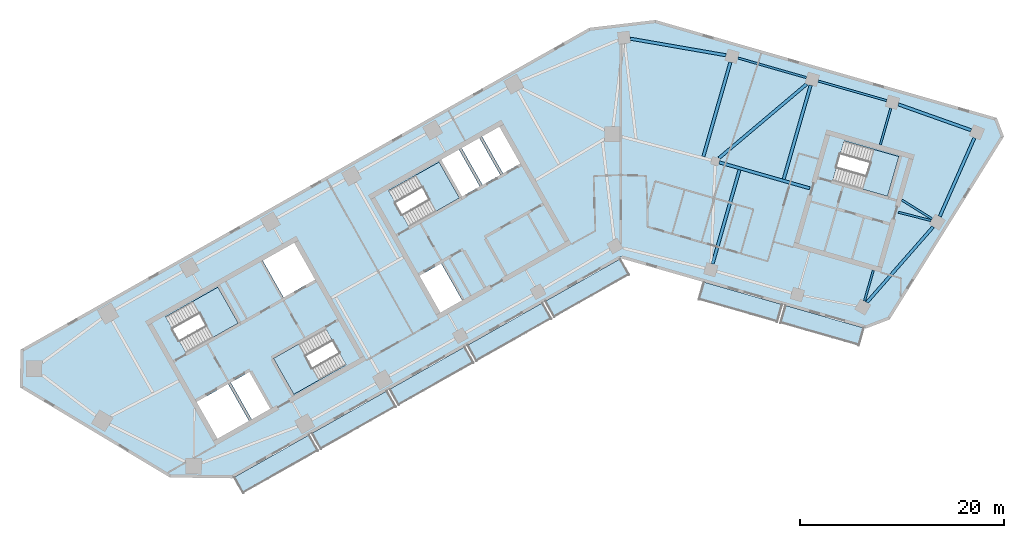
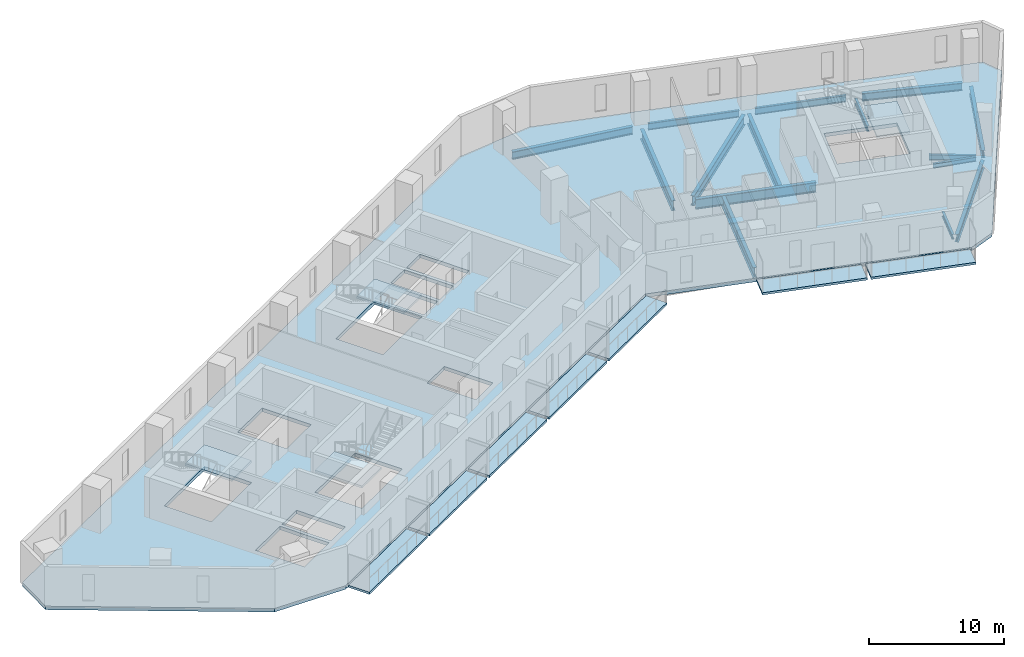
# One storey, part 2 of 9: 15 beams, 12 slabs, 4 elements without a shape of their own.
"""IFC4 building model written with IfcOpenShell, lengths in metres."""

import ifcopenshell
import ifcopenshell.guid

model = None  # the IFC model being written
_history = None  # IfcOwnerHistory: only IFC2X3 demands one
_inside = {}  # id of a spatial element -> (the spatial element, [elements in it])
_under = {}  # id of a project, library or spatial element -> (it, [spatial elements below it])
_declared = {}  # id of a project -> (the project, [libraries it declares])
_typed = {}  # id of a type object -> (the type object, [elements of that type])
_made_of = {}  # id of a material, layer set ... -> (it, [elements and type objects made of it])


def new_model(schema):
    """Start an empty IFC model of exactly this schema.

    Asked for "IFC4X3", IfcOpenShell would pick the latest addendum, in which some entities
    have other attributes; the version numbers below select the first issue.
    IFC2X3 requires an IfcOwnerHistory on every rooted entity: one is made here for all.
    """
    global model, _history
    if schema == "IFC4X3":
        model = ifcopenshell.file(schema_version=(4, 3, 0, 0))
    else:
        model = ifcopenshell.file(schema=schema)
    _inside.clear()
    _under.clear()
    _declared.clear()
    _typed.clear()
    _made_of.clear()
    _history = None
    if model.schema == "IFC2X3":
        org = make("IfcOrganization", Name="unknown")
        user = make(
            "IfcPersonAndOrganization",
            ThePerson=make("IfcPerson", FamilyName="unknown"),
            TheOrganization=org,
        )
        app = make(
            "IfcApplication",
            ApplicationDeveloper=org,
            Version="unknown",
            ApplicationFullName="unknown",
            ApplicationIdentifier="unknown",
        )
        _history = make(
            "IfcOwnerHistory",
            OwningUser=user,
            OwningApplication=app,
            ChangeAction="ADDED",
            CreationDate=0,
        )
    return model


def make(cls, **values):
    """One entity of the class cls with the attributes given. An attribute that is None is left unset."""
    return model.create_entity(
        cls, **{name: value for name, value in values.items() if value is not None}
    )


def rooted(cls, **values):
    """An entity with a GlobalId (a new one), such as an element, a storey or a relation."""
    return make(cls, GlobalId=ifcopenshell.guid.new(), OwnerHistory=_history, **values)


def si_unit(unit_type, name, prefix=None):
    """IfcSIUnit, for example si_unit("LENGTHUNIT", "METRE", prefix="MILLI")."""
    return make("IfcSIUnit", UnitType=unit_type, Prefix=prefix, Name=name)


def assignment(units):
    """IfcUnitAssignment: the units of a project."""
    return None if units is None else make("IfcUnitAssignment", Units=units)


def point(xyz):
    """IfcCartesianPoint."""
    return None if xyz is None else make("IfcCartesianPoint", Coordinates=xyz)


def direction(xyz):
    """IfcDirection."""
    return None if xyz is None else make("IfcDirection", DirectionRatios=xyz)


def frame(location, z_axis=None, x_axis=None):
    """IfcAxis2Placement3D, a coordinate frame: its origin and axes. An axis left out is left unset."""
    return make(
        "IfcAxis2Placement3D",
        Location=point(location),
        Axis=direction(z_axis),
        RefDirection=direction(x_axis),
    )


def frame_2d(location, x_axis=None):
    """IfcAxis2Placement2D, a coordinate frame in the plane: its origin and x axis."""
    return make(
        "IfcAxis2Placement2D", Location=point(location), RefDirection=direction(x_axis)
    )


def origin():
    """The frame at (0, 0, 0) with its axes left unset."""
    return frame((0.0, 0.0, 0.0))


def origin_2d():
    """The frame at (0, 0) in the plane with its x axis left unset."""
    return frame_2d((0.0, 0.0))


def place(relative_to, where):
    """IfcLocalPlacement: puts the frame where relative to a parent placement (None: the world)."""
    return make(
        "IfcLocalPlacement", PlacementRelTo=relative_to, RelativePlacement=where
    )


def context(
    kind, dimensions, precision=None, world=None, true_north=None, identifier=None
):
    """IfcGeometricRepresentationContext, for example the 3D "Model" context."""
    return make(
        "IfcGeometricRepresentationContext",
        ContextIdentifier=identifier,
        ContextType=kind,
        CoordinateSpaceDimension=dimensions,
        Precision=precision,
        WorldCoordinateSystem=world,
        TrueNorth=true_north,
    )


def subcontext(parent, identifier, kind, view, scale=None):
    """IfcGeometricRepresentationSubContext, for example "Body" below "Model"."""
    return make(
        "IfcGeometricRepresentationSubContext",
        ContextIdentifier=identifier,
        ContextType=kind,
        ParentContext=parent,
        TargetScale=scale,
        TargetView=view,
    )


def project(units=None, contexts=None):
    """IfcProject with its units and contexts."""
    return rooted(
        "IfcProject",
        Name="project",
        RepresentationContexts=contexts,
        UnitsInContext=assignment(units),
    )


def spatial(cls, under=None, at=None, **own):
    """A site, building, storey or space (cls), placed at a placement, below another one or the project."""
    s = rooted(cls, ObjectPlacement=at, **own)
    if under is not None:
        _under.setdefault(under.id(), (under, []))[1].append(s)
    return s


def polyline(points):
    """IfcPolyline through the points."""
    return make("IfcPolyline", Points=[point(p) for p in points])


def profile(cls, at=None, kind="AREA", **sizes):
    """A parametric profile (cls). Its sizes go by their IFC names, for example OverallWidth=200.0."""
    return make(cls, ProfileType=kind, Position=at, **sizes)


def i_section(**sizes):
    """IfcIShapeProfileDef."""
    return profile("IfcIShapeProfileDef", **sizes)


def outline(outer, holes=None, kind="AREA"):
    """IfcArbitraryClosedProfileDef: a profile drawn as a closed curve; with holes, ...WithVoids."""
    if holes is None:
        return make("IfcArbitraryClosedProfileDef", ProfileType=kind, OuterCurve=outer)
    return make(
        "IfcArbitraryProfileDefWithVoids",
        ProfileType=kind,
        OuterCurve=outer,
        InnerCurves=holes,
    )


def extrude(swept, where, along, depth):
    """IfcExtrudedAreaSolid: the profile swept, set in the frame where, extruded along a direction by depth."""
    return make(
        "IfcExtrudedAreaSolid",
        SweptArea=swept,
        Position=where,
        ExtrudedDirection=direction(along),
        Depth=depth,
    )


def shape(context_of_items, identifier, shape_type, items):
    """IfcShapeRepresentation: the items that make up one representation, for example the "Body"."""
    return make(
        "IfcShapeRepresentation",
        ContextOfItems=context_of_items,
        RepresentationIdentifier=identifier,
        RepresentationType=shape_type,
        Items=items,
    )


def material(Name=None, Category=None):
    """IfcMaterial."""
    return make("IfcMaterial", Name=Name, Category=Category)


def layer(
    of_material, thickness, ventilated=None, Name=None, Category=None, Priority=None
):
    """IfcMaterialLayer: one layer of a wall or slab, of a material (None: an air gap)."""
    return make(
        "IfcMaterialLayer",
        Material=of_material,
        LayerThickness=thickness,
        IsVentilated=ventilated,
        Name=Name,
        Category=Category,
        Priority=Priority,
    )


def layer_set(layers, Name=None):
    """IfcMaterialLayerSet."""
    return make("IfcMaterialLayerSet", MaterialLayers=layers, LayerSetName=Name)


def material_profile(
    of_material, cross_section, Name=None, Category=None, Priority=None
):
    """IfcMaterialProfile: a cross section and its material."""
    return make(
        "IfcMaterialProfile",
        Name=Name,
        Material=of_material,
        Profile=cross_section,
        Priority=Priority,
        Category=Category,
    )


def profile_set(profiles, Name=None, composite=None):
    """IfcMaterialProfileSet."""
    return make(
        "IfcMaterialProfileSet",
        Name=Name,
        MaterialProfiles=profiles,
        CompositeProfile=composite,
    )


def made_of(thing, what):
    """Note that an element or type object is made of a material, layer set ...; save() writes the relation."""
    if what is not None:
        _made_of.setdefault(what.id(), (what, []))[1].append(thing)
    return thing


def type_object(cls, material=None, **own):
    """A type object (cls), such as IfcWallType, which elements share."""
    return made_of(rooted(cls, **own), material)


def element(
    cls,
    number,
    at=None,
    inside=None,
    cuts=None,
    type_object=None,
    material=None,
    context=None,
    identifier="Body",
    shape_type=None,
    held_by="IfcProductDefinitionShape",
    body=None,
    shapes=None,
    **own,
):
    """One element of the class cls, such as IfcWall. Its Tag is "e" and its number.

    at: its placement. inside: the storey or other place that contains it. cuts: it is an
    opening in that element (IfcRelVoidsElement). A single representation is given by context,
    identifier, shape_type and body (its items); several are given by shapes. held_by: the class
    of the entity that holds the representations. save() writes the other relations.
    """
    e = rooted(cls, Tag="e%d" % number, ObjectPlacement=at, **own)
    if body is not None:
        shapes = [shape(context, identifier, shape_type, body)]
    if shapes is not None:
        e.Representation = make(held_by, Representations=shapes)
    if inside is not None:
        _inside.setdefault(inside.id(), (inside, []))[1].append(e)
    if cuts is not None:
        rooted(
            "IfcRelVoidsElement", RelatingBuildingElement=cuts, RelatedOpeningElement=e
        )
    if type_object is not None:
        _typed.setdefault(type_object.id(), (type_object, []))[1].append(e)
    return made_of(e, material)


def aggregate(whole, parts):
    """IfcRelAggregates: a whole, such as a stair, and the parts it consists of."""
    return rooted("IfcRelAggregates", RelatingObject=whole, RelatedObjects=parts)


def save(model, path):
    """Write the relations noted so far, then the file.

    IfcRelAggregates (storeys below a building ...), IfcRelContainedInSpatialStructure (elements
    in a storey), IfcRelDefinesByType, IfcRelAssociatesMaterial and IfcRelDeclares: one each for
    every whole, place, type object, material and project.
    """
    for whole, parts in _under.values():
        aggregate(whole, parts)
    for where, things in _inside.values():
        rooted(
            "IfcRelContainedInSpatialStructure",
            RelatedElements=things,
            RelatingStructure=where,
        )
    for kind, things in _typed.values():
        rooted("IfcRelDefinesByType", RelatedObjects=things, RelatingType=kind)
    for what, things in _made_of.values():
        rooted("IfcRelAssociatesMaterial", RelatedObjects=things, RelatingMaterial=what)
    for by, libraries in _declared.values():
        rooted("IfcRelDeclares", RelatingContext=by, RelatedDefinitions=libraries)
    model.write(path)


model = new_model("IFC4")

# Units and contexts
model_context = context("Model", 3, precision=1e-05, world=origin(), true_north=direction((0.0, 1.0)))
body_context = subcontext(model_context, "Body", "Model", "MODEL_VIEW")
ifc_project = project(units=[si_unit("LENGTHUNIT", "METRE"), si_unit("AREAUNIT", "SQUARE_METRE"), si_unit("VOLUMEUNIT", "CUBIC_METRE"), si_unit("PLANEANGLEUNIT", "RADIAN"), si_unit("MASSUNIT", "GRAM", prefix="KILO")], contexts=[model_context])

# Site, building, storey
site_placement = place(None, origin())
site = spatial("IfcSite", under=ifc_project, at=site_placement, CompositionType="ELEMENT")
building_placement = place(site_placement, origin())
building = spatial("IfcBuilding", under=site, at=building_placement, Name="Binnacle Exchange Tower", CompositionType="ELEMENT")
storey_placement = place(building_placement, frame((0.0, 0.0, 182.89990234375)))
storey = spatial("IfcBuildingStorey", under=building, at=storey_placement, Name="L39", CompositionType="ELEMENT", Elevation=182.89990234375)

# Beams
ifc_material_1 = material(Name="Steel S355 (SHN355)", Category="steel")
ifc_material_profile_1 = material_profile(ifc_material_1, i_section(OverallWidth=0.201904296875, OverallDepth=0.612060546875, WebThickness=0.012939453125, FlangeThickness=0.02294921875, FilletRadius=0.02197265625, at=origin_2d()), Name="H 612x202x13x23")
ifc_profile_set_1 = profile_set([ifc_material_profile_1], Name="Steel S355 (SHN355)")
beam_type_1 = type_object("IfcBeamType", Name="Edge girder H 612x202x13x23 Steel S355 (SHN355)", PredefinedType="SPANDREL", material=ifc_profile_set_1)
for number, where, z_axis, x_axis, name in (
    (1, (18.16943359375, 65.54150390625, -0.6259765625), (-0.961255274252, 0.275659749916, 0.0), (-0.275659749916, -0.961255274252, 0.0), "S:BM:edge:L39:029"),
    (2, (26.02587890625, 63.288818359375, -0.6259765625), (-0.961267211469, 0.275618120149, 0.0), (-0.275618120149, -0.961267211469, 0.0), "S:BM:edge:L39:031"),
):
    element("IfcBeam", number, at=place(storey_placement, frame(where, z_axis=z_axis, x_axis=x_axis)), inside=storey, type_object=beam_type_1, Name=name, PredefinedType="SPANDREL", context=body_context, shape_type="SweptSolid", body=[
        extrude(i_section(OverallWidth=0.201904296875, OverallDepth=0.612060546875, WebThickness=0.012939453125, FlangeThickness=0.02294921875, FilletRadius=0.02197265625, at=origin_2d()), origin(), (0.0, 0.0, 1.0), 6.972900390625),
    ])
ifc_material_profile_2 = material_profile(ifc_material_1, i_section(OverallWidth=0.300048828125, OverallDepth=0.699951171875, WebThickness=0.012939453125, FlangeThickness=0.02392578125, FilletRadius=0.028076171875, at=origin_2d()), Name="H 700x300x13x24")
ifc_profile_set_2 = profile_set([ifc_material_profile_2], Name="Steel S355 (SHN355)")
beam_type_2 = type_object("IfcBeamType", Name="Edge girder H 700x300x13x24 Steel S355 (SHN355)", PredefinedType="SPANDREL", material=ifc_profile_set_2)
beam_1_placement = place(storey_placement, frame((31.234130859375, 51.94091796875, -0.669921875), z_axis=(0.403470856186, 0.914992496258, 0.0), x_axis=(-0.914992496258, 0.403470856186, 0.0)))
element("IfcBeam", 3, at=beam_1_placement, inside=storey, type_object=beam_type_2, Name="S:BM:edge:L39:032", PredefinedType="SPANDREL", context=body_context, shape_type="SweptSolid", body=[
    extrude(i_section(OverallWidth=0.300048828125, OverallDepth=0.699951171875, WebThickness=0.012939453125, FlangeThickness=0.02392578125, FilletRadius=0.028076171875, at=origin_2d()), origin(), (0.0, 0.0, 1.0), 8.412109375),
])
beam_2_placement = place(storey_placement, frame((34.30419921875, 60.38818359375, -0.669921875), z_axis=(-0.942327723458, 0.334691591771, 0.0), x_axis=(-0.334691591771, -0.942327723458, 0.0)))
element("IfcBeam", 4, at=beam_2_placement, inside=storey, type_object=beam_type_2, Name="S:BM:edge:L39:033", PredefinedType="SPANDREL", context=body_context, shape_type="SweptSolid", body=[
    extrude(i_section(OverallWidth=0.300048828125, OverallDepth=0.699951171875, WebThickness=0.012939453125, FlangeThickness=0.02392578125, FilletRadius=0.028076171875, at=origin_2d()), origin(), (0.0, 0.0, 1.0), 7.57177734375),
])
ifc_material_profile_3 = material_profile(ifc_material_1, i_section(OverallWidth=0.302001953125, OverallDepth=0.7080078125, WebThickness=0.014892578125, FlangeThickness=0.028076171875, FilletRadius=0.028076171875, at=origin_2d()), Name="H 708x302x15x28")
ifc_profile_set_3 = profile_set([ifc_material_profile_3], Name="Steel S355 (SHN355)")
beam_type_3 = type_object("IfcBeamType", Name="Edge girder H 708x302x15x28 Steel S355 (SHN355)", PredefinedType="SPANDREL", material=ifc_profile_set_3)
beam_3_placement = place(storey_placement, frame((10.29541015625, 67.73193359375, -0.673828125), z_axis=(-0.985309861954, 0.170776098841, 0.0), x_axis=(-0.170776098841, -0.985309861954, 0.0)))
element("IfcBeam", 5, at=beam_3_placement, inside=storey, type_object=beam_type_3, Name="S:BM:edge:L39:027", PredefinedType="SPANDREL", context=body_context, shape_type="SweptSolid", body=[
    extrude(i_section(OverallWidth=0.302001953125, OverallDepth=0.7080078125, WebThickness=0.014892578125, FlangeThickness=0.028076171875, FilletRadius=0.028076171875, at=origin_2d()), origin(), (0.0, 0.0, 1.0), 9.518310546875),
])
beam_4_placement = place(storey_placement, frame((24.09326171875, 43.5224609375, -0.673828125), z_axis=(0.659335841855, 0.751848553663, 0.0), x_axis=(-0.751848553663, 0.659335841855, 0.0)))
element("IfcBeam", 6, at=beam_4_placement, inside=storey, type_object=beam_type_3, Name="S:BM:edge:L39:030", PredefinedType="SPANDREL", context=body_context, shape_type="SweptSolid", body=[
    extrude(i_section(OverallWidth=0.302001953125, OverallDepth=0.7080078125, WebThickness=0.014892578125, FlangeThickness=0.028076171875, FilletRadius=0.028076171875, at=origin_2d()), origin(), (0.0, 0.0, 1.0), 9.851318359375),
])
ifc_material_profile_4 = material_profile(ifc_material_1, i_section(OverallWidth=0.199951171875, OverallDepth=0.449951171875, WebThickness=0.009033203125, FlangeThickness=0.013916015625, FilletRadius=0.01806640625, at=origin_2d()), Name="H 450x200x9x14")
ifc_profile_set_4 = profile_set([ifc_material_profile_4], Name="Steel S355 (SHN355)")
beam_type_4 = type_object("IfcBeamType", Name="Floor beam H 450x200x9x14 Steel S355 (SHN355)", PredefinedType="BEAM", material=ifc_profile_set_4)
beam_5_placement = place(storey_placement, frame((23.860595703125, 43.6572265625, -0.544921875), z_axis=(0.275637043779, 0.961261785414, 0.0), x_axis=(-0.961261785414, 0.275637043779, 0.0)))
element("IfcBeam", 7, at=beam_5_placement, inside=storey, type_object=beam_type_4, Name="S:BM:cross:L39:051", PredefinedType="BEAM", context=body_context, shape_type="SweptSolid", body=[
    extrude(i_section(OverallWidth=0.199951171875, OverallDepth=0.449951171875, WebThickness=0.009033203125, FlangeThickness=0.013916015625, FilletRadius=0.01806640625, at=origin_2d()), origin(), (0.0, 0.0, 1.0), 3.1328125),
])
ifc_material_profile_5 = material_profile(ifc_material_1, i_section(OverallWidth=0.199951171875, OverallDepth=0.5, WebThickness=0.010009765625, FlangeThickness=0.01611328125, FilletRadius=0.02001953125, at=origin_2d()), Name="H 500x200x10x16")
ifc_profile_set_5 = profile_set([ifc_material_profile_5], Name="Steel S355 (SHN355)")
beam_type_5 = type_object("IfcBeamType", Name="Floor beam H 500x200x10x16 Steel S355 (SHN355)", PredefinedType="BEAM", material=ifc_profile_set_5)
beam_6_placement = place(storey_placement, frame((26.437255859375, 62.546630859375, -0.56982421875), z_axis=(-0.275644746045, -0.961259576794, 0.0), x_axis=(0.961259576794, -0.275644746045, 0.0)))
element("IfcBeam", 8, at=beam_6_placement, inside=storey, type_object=beam_type_5, Name="S:BM:cross:L39:052", PredefinedType="BEAM", context=body_context, shape_type="SweptSolid", body=[
    extrude(i_section(OverallWidth=0.199951171875, OverallDepth=0.5, WebThickness=0.010009765625, FlangeThickness=0.01611328125, FilletRadius=0.02001953125, at=origin_2d()), origin(), (0.0, 0.0, 1.0), 3.735107421875),
])
beam_7_placement = place(storey_placement, frame((30.480712890625, 51.704345703125, -0.56982421875), z_axis=(-0.848084620748, 0.529860808186, 0.0), x_axis=(-0.529860808186, -0.848084620748, 0.0)))
element("IfcBeam", 9, at=beam_7_placement, inside=storey, type_object=beam_type_5, Name="S:BM:cross:L39:053", PredefinedType="BEAM", context=body_context, shape_type="SweptSolid", body=[
    extrude(i_section(OverallWidth=0.199951171875, OverallDepth=0.5, WebThickness=0.010009765625, FlangeThickness=0.01611328125, FilletRadius=0.02001953125, at=origin_2d()), origin(), (0.0, 0.0, 1.0), 3.495361328125),
])
ifc_material_profile_6 = material_profile(ifc_material_1, i_section(OverallWidth=0.302001953125, OverallDepth=0.912109375, WebThickness=0.01806640625, FlangeThickness=0.033935546875, FilletRadius=0.028076171875, at=origin_2d()), Name="H 912x302x18x34")
ifc_profile_set_6 = profile_set([ifc_material_profile_6], Name="Steel S355 (SHN355)")
beam_type_6 = type_object("IfcBeamType", Name="Floor beam H 912x302x18x34 Steel S355 (SHN355)", PredefinedType="BEAM", material=ifc_profile_set_6)
beam_8_placement = place(storey_placement, frame((8.974853515625, 47.299072265625, -0.77587890625), z_axis=(0.275642748758, 0.961260149521, 0.0), x_axis=(-0.961260149521, 0.275642748758, 0.0)))
element("IfcBeam", 10, at=beam_8_placement, inside=storey, type_object=beam_type_6, Name="S:BM:cross:L39:047", PredefinedType="BEAM", context=body_context, shape_type="SweptSolid", body=[
    extrude(i_section(OverallWidth=0.302001953125, OverallDepth=0.912109375, WebThickness=0.01806640625, FlangeThickness=0.033935546875, FilletRadius=0.028076171875, at=origin_2d()), origin(), (0.0, 0.0, 1.0), 9.585205078125),
])
beam_9_placement = place(storey_placement, frame((10.724609375, 67.05224609375, -0.77587890625), z_axis=(-0.275623285325, -0.961265730475, 0.0), x_axis=(0.961265730475, -0.275623285325, 0.0)))
element("IfcBeam", 11, at=beam_9_placement, inside=storey, type_object=beam_type_6, Name="S:BM:cross:L39:048", PredefinedType="BEAM", context=body_context, shape_type="SweptSolid", body=[
    extrude(i_section(OverallWidth=0.302001953125, OverallDepth=0.912109375, WebThickness=0.01806640625, FlangeThickness=0.033935546875, FilletRadius=0.028076171875, at=origin_2d()), origin(), (0.0, 0.0, 1.0), 9.61328125),
])
beam_10_placement = place(storey_placement, frame((18.580810546875, 64.79931640625, -0.77587890625), z_axis=(-0.275625961623, -0.961264963098, 0.0), x_axis=(0.961264963098, -0.275625961623, 0.0)))
element("IfcBeam", 12, at=beam_10_placement, inside=storey, type_object=beam_type_6, Name="S:BM:cross:L39:050", PredefinedType="BEAM", context=body_context, shape_type="SweptSolid", body=[
    extrude(i_section(OverallWidth=0.302001953125, OverallDepth=0.912109375, WebThickness=0.01806640625, FlangeThickness=0.033935546875, FilletRadius=0.028076171875, at=origin_2d()), origin(), (0.0, 0.0, 1.0), 9.5849609375),
])
ifc_material_profile_7 = material_profile(ifc_material_1, i_section(OverallWidth=0.199951171875, OverallDepth=0.39990234375, WebThickness=0.008056640625, FlangeThickness=0.012939453125, FilletRadius=0.01611328125, at=origin_2d()), Name="H 400x200x8x13")
ifc_profile_set_7 = profile_set([ifc_material_profile_7], Name="Steel S355 (SHN355)")
beam_type_7 = type_object("IfcBeamType", Name="Spine girder H 400x200x8x13 Steel S355 (SHN355)", PredefinedType="BEAM", material=ifc_profile_set_7)
beam_11_placement = place(storey_placement, frame((27.17138671875, 52.35400390625, -0.52001953125), z_axis=(0.969342999561, -0.245711516217, 0.0), x_axis=(0.245711516217, 0.969342999561, 0.0)))
element("IfcBeam", 13, at=beam_11_placement, inside=storey, type_object=beam_type_7, Name="S:BM:spine:L39:010", PredefinedType="BEAM", context=body_context, shape_type="SweptSolid", body=[
    extrude(i_section(OverallWidth=0.199951171875, OverallDepth=0.39990234375, WebThickness=0.008056640625, FlangeThickness=0.012939453125, FilletRadius=0.01611328125, at=origin_2d()), origin(), (0.0, 0.0, 1.0), 3.30859375),
])
ifc_material_profile_8 = material_profile(ifc_material_1, i_section(OverallWidth=0.302001953125, OverallDepth=0.912109375, WebThickness=0.01806640625, FlangeThickness=0.033935546875, FilletRadius=0.028076171875, at=origin_2d()), Name="H 912x302x18x34")
ifc_profile_set_8 = profile_set([ifc_material_profile_8], Name="Steel S355 (SHN355)")
beam_type_8 = type_object("IfcBeamType", Name="Spine girder H 912x302x18x34 Steel S355 (SHN355)", PredefinedType="BEAM", material=ifc_profile_set_8)
beam_12_placement = place(storey_placement, frame((9.60888671875, 57.660888671875, -0.77587890625), z_axis=(0.764057522707, 0.645148124073, 0.0), x_axis=(-0.645148124073, 0.764057522707, 0.0)))
element("IfcBeam", 14, at=beam_12_placement, inside=storey, type_object=beam_type_8, Name="S:BM:spine:L39:008", PredefinedType="BEAM", context=body_context, shape_type="SweptSolid", body=[
    extrude(i_section(OverallWidth=0.302001953125, OverallDepth=0.912109375, WebThickness=0.01806640625, FlangeThickness=0.033935546875, FilletRadius=0.028076171875, at=origin_2d()), origin(), (0.0, 0.0, 1.0), 11.237060546875),
])
beam_13_placement = place(storey_placement, frame((9.62548828125, 57.239990234375, -0.77587890625), z_axis=(0.961259511383, -0.275644974153, 0.0), x_axis=(0.275644974153, 0.961259511383, 0.0)))
element("IfcBeam", 15, at=beam_13_placement, inside=storey, type_object=beam_type_8, Name="S:BM:spine:L39:009", PredefinedType="BEAM", context=body_context, shape_type="SweptSolid", body=[
    extrude(i_section(OverallWidth=0.302001953125, OverallDepth=0.912109375, WebThickness=0.01806640625, FlangeThickness=0.033935546875, FilletRadius=0.028076171875, at=origin_2d()), origin(), (0.0, 0.0, 1.0), 9.213134765625),
])

# Slabs
ifc_material_2 = material(Name="Concrete C35/45", Category="concrete")
ifc_layer_1 = layer(ifc_material_2, 0.199951171875)
ifc_layer_set_1 = layer_set([ifc_layer_1], Name="BALCONY SLAB 200")
slab_type_1 = type_object("IfcSlabType", Name="BALCONY SLAB 200", PredefinedType="FLOOR", material=ifc_layer_set_1)
slab_1_placement = place(storey_placement, frame((0.0, 0.0, -0.199951171875)))
element("IfcSlab", 16, at=slab_1_placement, inside=storey, type_object=slab_type_1, Name="Balcony BA-G01-00 L39", PredefinedType="FLOOR", context=body_context, shape_type="SweptSolid", body=[
    extrude(outline(polyline([(-37.893310546875, 26.388671875), (-30.534912109375, 30.5517578125), (-29.648681640625, 28.985107421875), (-37.007080078125, 24.822021484375), (-37.893310546875, 26.388671875)])), origin(), (0.0, 0.0, 1.0), 0.199951171875),
])
slab_2_placement = place(storey_placement, frame((0.0, 0.0, -0.199951171875)))
element("IfcSlab", 17, at=slab_2_placement, inside=storey, type_object=slab_type_1, Name="Balcony BA-G01-01 L39", PredefinedType="FLOOR", context=body_context, shape_type="SweptSolid", body=[
    extrude(outline(polyline([(-30.27392578125, 30.699462890625), (-22.915283203125, 34.86279296875), (-22.029052734375, 33.296142578125), (-29.387451171875, 29.1328125), (-30.27392578125, 30.699462890625)])), origin(), (0.0, 0.0, 1.0), 0.199951171875),
])
slab_3_placement = place(storey_placement, frame((0.0, 0.0, -0.199951171875)))
element("IfcSlab", 18, at=slab_3_placement, inside=storey, type_object=slab_type_1, Name="Balcony BA-G01-02 L39", PredefinedType="FLOOR", context=body_context, shape_type="SweptSolid", body=[
    extrude(outline(polyline([(-22.654296875, 35.010498046875), (-15.2958984375, 39.173583984375), (-14.409423828125, 37.607177734375), (-21.767822265625, 33.44384765625), (-22.654296875, 35.010498046875)])), origin(), (0.0, 0.0, 1.0), 0.199951171875),
])
slab_4_placement = place(storey_placement, frame((0.0, 0.0, -0.199951171875)))
element("IfcSlab", 19, at=slab_4_placement, inside=storey, type_object=slab_type_1, Name="Balcony BA-G01-03 L39", PredefinedType="FLOOR", context=body_context, shape_type="SweptSolid", body=[
    extrude(outline(polyline([(-15.03466796875, 39.3212890625), (-7.67626953125, 43.484619140625), (-6.789794921875, 41.91796875), (-14.148193359375, 37.7548828125), (-15.03466796875, 39.3212890625)])), origin(), (0.0, 0.0, 1.0), 0.199951171875),
])
slab_5_placement = place(storey_placement, frame((0.0, 0.0, -0.199951171875)))
element("IfcSlab", 20, at=slab_5_placement, inside=storey, type_object=slab_type_1, Name="Balcony BA-G01-04 L39", PredefinedType="FLOOR", context=body_context, shape_type="SweptSolid", body=[
    extrude(outline(polyline([(-7.4150390625, 43.63232421875), (-0.056640625, 47.795654296875), (0.82958984375, 46.22900390625), (-6.52880859375, 42.06591796875), (-7.4150390625, 43.63232421875)])), origin(), (0.0, 0.0, 1.0), 0.199951171875),
])
slab_6_placement = place(storey_placement, frame((0.0, 0.0, -0.199951171875)))
element("IfcSlab", 21, at=slab_6_placement, inside=storey, type_object=slab_type_1, Name="Balcony BA-G02-01 L39", PredefinedType="FLOOR", context=body_context, shape_type="SweptSolid", body=[
    extrude(outline(polyline([(8.100830078125, 45.52099609375), (15.810546875, 43.310302734375), (15.314453125, 41.580078125), (7.604736328125, 43.790771484375), (8.100830078125, 45.52099609375)])), origin(), (0.0, 0.0, 1.0), 0.199951171875),
])
slab_7_placement = place(storey_placement, frame((0.0, 0.0, -0.199951171875)))
element("IfcSlab", 22, at=slab_7_placement, inside=storey, type_object=slab_type_1, Name="Balcony BA-G02-02 L39", PredefinedType="FLOOR", context=body_context, shape_type="SweptSolid", body=[
    extrude(outline(polyline([(16.09912109375, 43.2275390625), (23.80859375, 41.016845703125), (23.3125, 39.28662109375), (15.602783203125, 41.497314453125), (16.09912109375, 43.2275390625)])), origin(), (0.0, 0.0, 1.0), 0.199951171875),
])
ifc_layer_2 = layer(ifc_material_2, 0.320068359375)
ifc_layer_set_2 = layer_set([ifc_layer_2], Name="Floor slab 320 Concrete C35/45")
slab_type_2 = type_object("IfcSlabType", Name="Floor slab 320 Concrete C35/45", PredefinedType="FLOOR", material=ifc_layer_set_2)
slab_8_placement = place(storey_placement, frame((0.0, 0.0, -0.31982421875)))
element("IfcSlab", 23, at=slab_8_placement, inside=storey, type_object=slab_type_2, Name="S:SL:L39:01", PredefinedType="FLOOR", context=body_context, shape_type="SweptSolid", body=[
    extrude(outline(polyline([(-58.716064453125, 35.280029296875), (-58.669921875, 38.80615234375), (-3.046142578125, 70.276611328125), (3.364501953125, 71.035400390625), (36.71240234375, 61.472900390625), (37.359375, 59.787353515625), (26.23095703125, 41.978515625), (23.994140625, 41.119873046875), (0.0, 48.0), (-38.097900390625, 26.4453125), (-44.14404296875, 26.5244140625), (-58.716064453125, 35.280029296875)]), holes=[polyline([(-38.4794921875, 35.529296875), (-41.61279296875, 33.756591796875), (-39.544677734375, 30.10107421875), (-36.411376953125, 31.873779296875), (-38.4794921875, 35.529296875)]), polyline([(-36.390625, 36.711181640625), (-38.21826171875, 35.677001953125), (-36.150146484375, 32.021484375), (-34.322509765625, 33.0556640625), (-36.390625, 36.711181640625)]), polyline([(-32.04638671875, 34.515625), (-26.9287109375, 37.4111328125), (-28.923095703125, 40.93603515625), (-34.040771484375, 38.04052734375), (-32.04638671875, 34.515625)]), polyline([(-37.486572265625, 41.4912109375), (-39.480712890625, 45.01611328125), (-44.598388671875, 42.12060546875), (-42.604248046875, 38.595703125), (-37.486572265625, 41.4912109375)]), polyline([(-29.914306640625, 45.775390625), (-31.982666015625, 49.430908203125), (-35.115966796875, 47.657958984375), (-33.047607421875, 44.00244140625), (-29.914306640625, 45.775390625)]), polyline([(-17.81689453125, 57.27294921875), (-22.760498046875, 54.47607421875), (-20.76611328125, 50.950927734375), (-15.822509765625, 53.748046875), (-17.81689453125, 57.27294921875)]), polyline([(-15.53076171875, 43.6875), (-17.598876953125, 47.343017578125), (-19.77490234375, 46.11181640625), (-17.70654296875, 42.456298828125), (-15.53076171875, 43.6875)]), polyline([(-13.82080078125, 54.880615234375), (-15.888916015625, 58.5361328125), (-17.629638671875, 57.55126953125), (-15.5615234375, 53.895751953125), (-13.82080078125, 54.880615234375)]), polyline([(27.227783203125, 57.810302734375), (21.864013671875, 59.348388671875), (20.74755859375, 55.455078125), (26.111328125, 53.9169921875), (27.227783203125, 57.810302734375)]), polyline([(-11.819091796875, 56.01318359375), (-13.88720703125, 59.668701171875), (-15.6279296875, 58.683837890625), (-13.559814453125, 55.0283203125), (-11.819091796875, 56.01318359375)]), polyline([(-9.817138671875, 57.145751953125), (-11.885498046875, 60.80126953125), (-13.626220703125, 59.81640625), (-11.557861328125, 56.160888671875), (-9.817138671875, 57.145751953125)])]), origin(), (0.0, 0.0, 1.0), 0.31982421875),
])

# Stair, slab
stair_type = type_object("IfcStairType", Name="STAIR 24 RISERS 167", PredefinedType="HALF_TURN_STAIR", material=ifc_material_2)
stair_1_placement = place(storey_placement, origin())
stair_1 = element("IfcStair", 24, at=stair_1_placement, inside=storey, type_object=stair_type, Name="L39 Escape stair A1", PredefinedType="HALF_TURN_STAIR")
ifc_layer_3 = layer(ifc_material_2, 0.199951171875)
ifc_layer_set_3 = layer_set([ifc_layer_3], Name="STAIR LANDING 200")
slab_type_3 = type_object("IfcSlabType", Name="STAIR LANDING 200", PredefinedType="LANDING", material=ifc_layer_set_3)
slab_9_placement = place(storey_placement, frame((0.0, 0.0, 1.800048828125)))
slab_9 = element("IfcSlab", 25, at=slab_9_placement, type_object=slab_type_3, Name="STA1 landing 1", PredefinedType="LANDING", context=body_context, shape_type="SweptSolid", body=[
    extrude(outline(polyline([(-39.958251953125, 40.0927734375), (-37.486572265625, 41.4912109375), (-39.48095703125, 45.01611328125), (-41.95263671875, 43.61767578125), (-39.958251953125, 40.0927734375)])), origin(), (0.0, 0.0, 1.0), 0.199951171875),
])
aggregate(stair_1, [slab_9])

stair_2_placement = place(storey_placement, origin())
stair_2 = element("IfcStair", 26, at=stair_2_placement, inside=storey, type_object=stair_type, Name="L39 Escape stair A2", PredefinedType="HALF_TURN_STAIR")
slab_10_placement = place(storey_placement, frame((0.0, 0.0, 1.800048828125)))
slab_10 = element("IfcSlab", 27, at=slab_10_placement, type_object=slab_type_3, Name="STA2 landing 1", PredefinedType="LANDING", context=body_context, shape_type="SweptSolid", body=[
    extrude(outline(polyline([(-31.56884765625, 39.439208984375), (-34.040771484375, 38.04052734375), (-32.04638671875, 34.515625), (-29.574462890625, 35.9140625), (-31.56884765625, 39.439208984375)])), origin(), (0.0, 0.0, 1.0), 0.199951171875),
])
aggregate(stair_2, [slab_10])

stair_3_placement = place(storey_placement, origin())
stair_3 = element("IfcStair", 28, at=stair_3_placement, inside=storey, type_object=stair_type, Name="L39 Escape stair C1", PredefinedType="HALF_TURN_STAIR")
slab_11_placement = place(storey_placement, frame((0.0, 0.0, 1.800048828125)))
slab_11 = element("IfcSlab", 29, at=slab_11_placement, type_object=slab_type_3, Name="STC1 landing 1", PredefinedType="LANDING", context=body_context, shape_type="SweptSolid", body=[
    extrude(outline(polyline([(-18.120361328125, 52.447998046875), (-15.822509765625, 53.748046875), (-17.81689453125, 57.27294921875), (-20.11474609375, 55.972900390625), (-18.120361328125, 52.447998046875)])), origin(), (0.0, 0.0, 1.0), 0.199951171875),
])
aggregate(stair_3, [slab_11])

stair_4_placement = place(storey_placement, origin())
stair_4 = element("IfcStair", 30, at=stair_4_placement, inside=storey, type_object=stair_type, Name="L39 Escape stair D1", PredefinedType="HALF_TURN_STAIR")
slab_12_placement = place(storey_placement, frame((0.0, 0.0, 1.800048828125)))
slab_12 = element("IfcSlab", 31, at=slab_12_placement, type_object=slab_type_3, Name="STD1 landing 1", PredefinedType="LANDING", context=body_context, shape_type="SweptSolid", body=[
    extrude(outline(polyline([(23.669677734375, 54.6171875), (26.111328125, 53.917236328125), (27.227783203125, 57.810302734375), (24.7861328125, 58.51025390625), (23.669677734375, 54.6171875)])), origin(), (0.0, 0.0, 1.0), 0.199951171875),
])
aggregate(stair_4, [slab_12])

save(model, "model.ifc")
